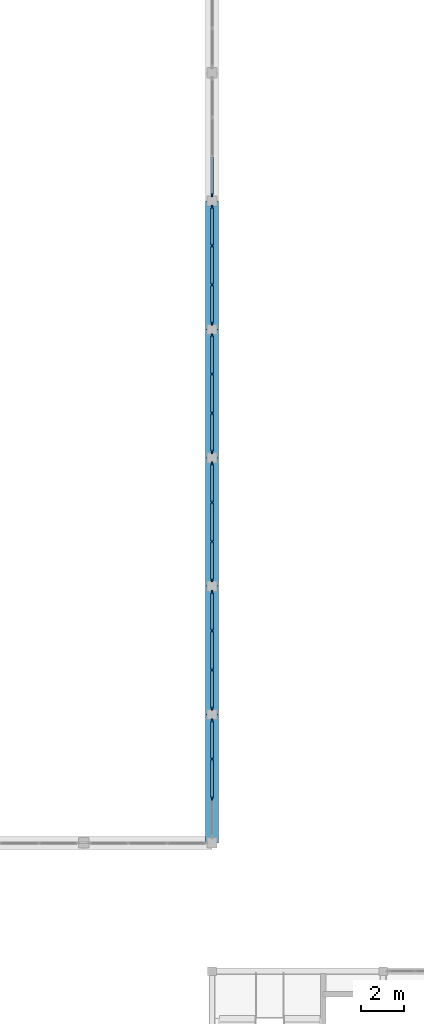
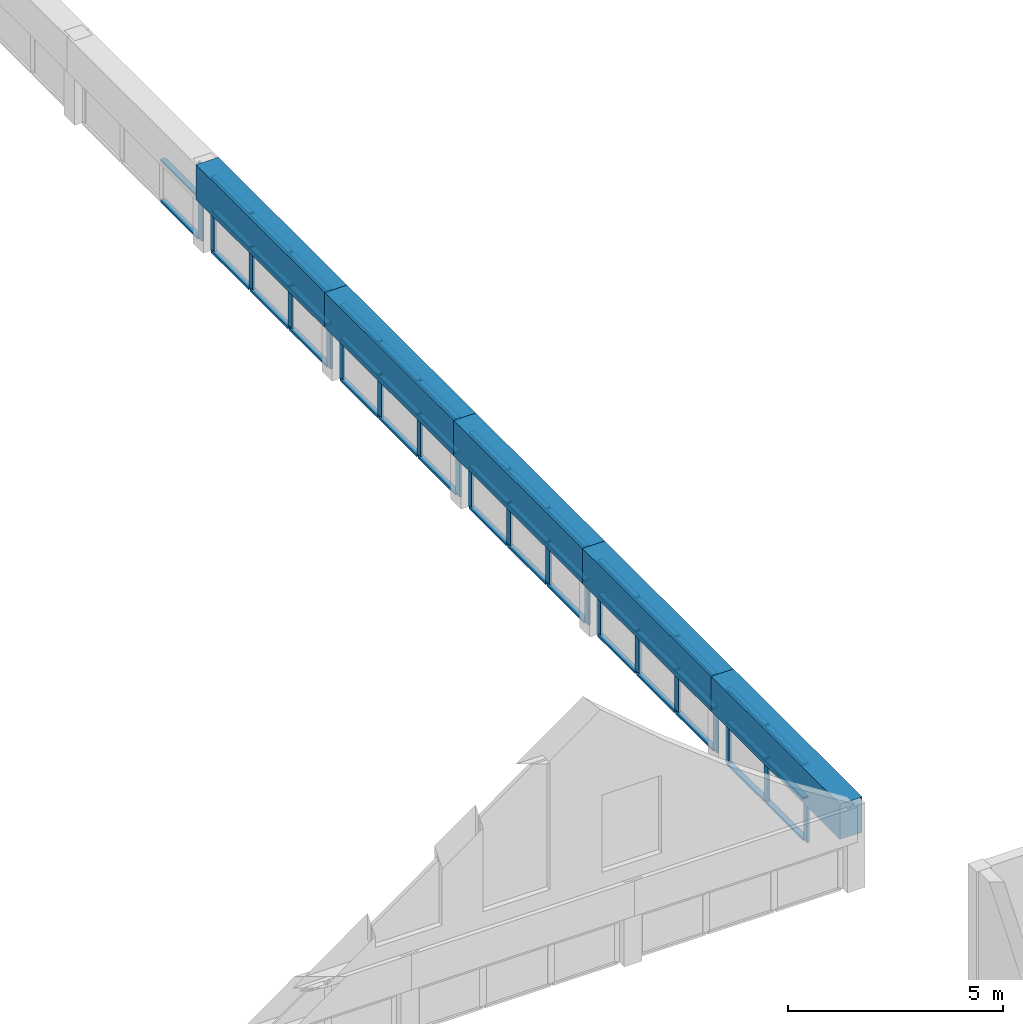
# One storey, part 9 of 45: 64 members, 5 beams, 6 elements without a shape of their own.
"""IFC4 building model written with IfcOpenShell, lengths in metres."""

import ifcopenshell
import ifcopenshell.guid

model = None  # the IFC model being written
_history = None  # IfcOwnerHistory: only IFC2X3 demands one
_inside = {}  # id of a spatial element -> (the spatial element, [elements in it])
_under = {}  # id of a project, library or spatial element -> (it, [spatial elements below it])
_declared = {}  # id of a project -> (the project, [libraries it declares])
_typed = {}  # id of a type object -> (the type object, [elements of that type])
_made_of = {}  # id of a material, layer set ... -> (it, [elements and type objects made of it])


def new_model(schema):
    """Start an empty IFC model of exactly this schema.

    Asked for "IFC4X3", IfcOpenShell would pick the latest addendum, in which some entities
    have other attributes; the version numbers below select the first issue.
    IFC2X3 requires an IfcOwnerHistory on every rooted entity: one is made here for all.
    """
    global model, _history
    if schema == "IFC4X3":
        model = ifcopenshell.file(schema_version=(4, 3, 0, 0))
    else:
        model = ifcopenshell.file(schema=schema)
    _inside.clear()
    _under.clear()
    _declared.clear()
    _typed.clear()
    _made_of.clear()
    _history = None
    if model.schema == "IFC2X3":
        org = make("IfcOrganization", Name="unknown")
        user = make(
            "IfcPersonAndOrganization",
            ThePerson=make("IfcPerson", FamilyName="unknown"),
            TheOrganization=org,
        )
        app = make(
            "IfcApplication",
            ApplicationDeveloper=org,
            Version="unknown",
            ApplicationFullName="unknown",
            ApplicationIdentifier="unknown",
        )
        _history = make(
            "IfcOwnerHistory",
            OwningUser=user,
            OwningApplication=app,
            ChangeAction="ADDED",
            CreationDate=0,
        )
    return model


def make(cls, **values):
    """One entity of the class cls with the attributes given. An attribute that is None is left unset."""
    return model.create_entity(
        cls, **{name: value for name, value in values.items() if value is not None}
    )


def rooted(cls, **values):
    """An entity with a GlobalId (a new one), such as an element, a storey or a relation."""
    return make(cls, GlobalId=ifcopenshell.guid.new(), OwnerHistory=_history, **values)


def si_unit(unit_type, name, prefix=None):
    """IfcSIUnit, for example si_unit("LENGTHUNIT", "METRE", prefix="MILLI")."""
    return make("IfcSIUnit", UnitType=unit_type, Prefix=prefix, Name=name)


def assignment(units):
    """IfcUnitAssignment: the units of a project."""
    return None if units is None else make("IfcUnitAssignment", Units=units)


def point(xyz):
    """IfcCartesianPoint."""
    return None if xyz is None else make("IfcCartesianPoint", Coordinates=xyz)


def direction(xyz):
    """IfcDirection."""
    return None if xyz is None else make("IfcDirection", DirectionRatios=xyz)


def frame(location, z_axis=None, x_axis=None):
    """IfcAxis2Placement3D, a coordinate frame: its origin and axes. An axis left out is left unset."""
    return make(
        "IfcAxis2Placement3D",
        Location=point(location),
        Axis=direction(z_axis),
        RefDirection=direction(x_axis),
    )


def frame_2d(location, x_axis=None):
    """IfcAxis2Placement2D, a coordinate frame in the plane: its origin and x axis."""
    return make(
        "IfcAxis2Placement2D", Location=point(location), RefDirection=direction(x_axis)
    )


def origin():
    """The frame at (0, 0, 0) with its axes left unset."""
    return frame((0.0, 0.0, 0.0))


def origin_2d():
    """The frame at (0, 0) in the plane with its x axis left unset."""
    return frame_2d((0.0, 0.0))


def place(relative_to, where):
    """IfcLocalPlacement: puts the frame where relative to a parent placement (None: the world)."""
    return make(
        "IfcLocalPlacement", PlacementRelTo=relative_to, RelativePlacement=where
    )


def context(
    kind, dimensions, precision=None, world=None, true_north=None, identifier=None
):
    """IfcGeometricRepresentationContext, for example the 3D "Model" context."""
    return make(
        "IfcGeometricRepresentationContext",
        ContextIdentifier=identifier,
        ContextType=kind,
        CoordinateSpaceDimension=dimensions,
        Precision=precision,
        WorldCoordinateSystem=world,
        TrueNorth=true_north,
    )


def subcontext(parent, identifier, kind, view, scale=None):
    """IfcGeometricRepresentationSubContext, for example "Body" below "Model"."""
    return make(
        "IfcGeometricRepresentationSubContext",
        ContextIdentifier=identifier,
        ContextType=kind,
        ParentContext=parent,
        TargetScale=scale,
        TargetView=view,
    )


def project(units=None, contexts=None):
    """IfcProject with its units and contexts."""
    return rooted(
        "IfcProject",
        Name="project",
        RepresentationContexts=contexts,
        UnitsInContext=assignment(units),
    )


def spatial(cls, under=None, at=None, **own):
    """A site, building, storey or space (cls), placed at a placement, below another one or the project."""
    s = rooted(cls, ObjectPlacement=at, **own)
    if under is not None:
        _under.setdefault(under.id(), (under, []))[1].append(s)
    return s


def profile(cls, at=None, kind="AREA", **sizes):
    """A parametric profile (cls). Its sizes go by their IFC names, for example OverallWidth=200.0."""
    return make(cls, ProfileType=kind, Position=at, **sizes)


def rectangle(**sizes):
    """IfcRectangleProfileDef."""
    return profile("IfcRectangleProfileDef", **sizes)


def extrude(swept, where, along, depth):
    """IfcExtrudedAreaSolid: the profile swept, set in the frame where, extruded along a direction by depth."""
    return make(
        "IfcExtrudedAreaSolid",
        SweptArea=swept,
        Position=where,
        ExtrudedDirection=direction(along),
        Depth=depth,
    )


def shape(context_of_items, identifier, shape_type, items):
    """IfcShapeRepresentation: the items that make up one representation, for example the "Body"."""
    return make(
        "IfcShapeRepresentation",
        ContextOfItems=context_of_items,
        RepresentationIdentifier=identifier,
        RepresentationType=shape_type,
        Items=items,
    )


def material(Name=None, Category=None):
    """IfcMaterial."""
    return make("IfcMaterial", Name=Name, Category=Category)


def layer(
    of_material, thickness, ventilated=None, Name=None, Category=None, Priority=None
):
    """IfcMaterialLayer: one layer of a wall or slab, of a material (None: an air gap)."""
    return make(
        "IfcMaterialLayer",
        Material=of_material,
        LayerThickness=thickness,
        IsVentilated=ventilated,
        Name=Name,
        Category=Category,
        Priority=Priority,
    )


def layer_set(layers, Name=None):
    """IfcMaterialLayerSet."""
    return make("IfcMaterialLayerSet", MaterialLayers=layers, LayerSetName=Name)


def material_profile(
    of_material, cross_section, Name=None, Category=None, Priority=None
):
    """IfcMaterialProfile: a cross section and its material."""
    return make(
        "IfcMaterialProfile",
        Name=Name,
        Material=of_material,
        Profile=cross_section,
        Priority=Priority,
        Category=Category,
    )


def profile_set(profiles, Name=None, composite=None):
    """IfcMaterialProfileSet."""
    return make(
        "IfcMaterialProfileSet",
        Name=Name,
        MaterialProfiles=profiles,
        CompositeProfile=composite,
    )


def made_of(thing, what):
    """Note that an element or type object is made of a material, layer set ...; save() writes the relation."""
    if what is not None:
        _made_of.setdefault(what.id(), (what, []))[1].append(thing)
    return thing


def type_object(cls, material=None, **own):
    """A type object (cls), such as IfcWallType, which elements share."""
    return made_of(rooted(cls, **own), material)


def element(
    cls,
    number,
    at=None,
    inside=None,
    cuts=None,
    type_object=None,
    material=None,
    context=None,
    identifier="Body",
    shape_type=None,
    held_by="IfcProductDefinitionShape",
    body=None,
    shapes=None,
    **own,
):
    """One element of the class cls, such as IfcWall. Its Tag is "e" and its number.

    at: its placement. inside: the storey or other place that contains it. cuts: it is an
    opening in that element (IfcRelVoidsElement). A single representation is given by context,
    identifier, shape_type and body (its items); several are given by shapes. held_by: the class
    of the entity that holds the representations. save() writes the other relations.
    """
    e = rooted(cls, Tag="e%d" % number, ObjectPlacement=at, **own)
    if body is not None:
        shapes = [shape(context, identifier, shape_type, body)]
    if shapes is not None:
        e.Representation = make(held_by, Representations=shapes)
    if inside is not None:
        _inside.setdefault(inside.id(), (inside, []))[1].append(e)
    if cuts is not None:
        rooted(
            "IfcRelVoidsElement", RelatingBuildingElement=cuts, RelatedOpeningElement=e
        )
    if type_object is not None:
        _typed.setdefault(type_object.id(), (type_object, []))[1].append(e)
    return made_of(e, material)


def aggregate(whole, parts):
    """IfcRelAggregates: a whole, such as a stair, and the parts it consists of."""
    return rooted("IfcRelAggregates", RelatingObject=whole, RelatedObjects=parts)


def save(model, path):
    """Write the relations noted so far, then the file.

    IfcRelAggregates (storeys below a building ...), IfcRelContainedInSpatialStructure (elements
    in a storey), IfcRelDefinesByType, IfcRelAssociatesMaterial and IfcRelDeclares: one each for
    every whole, place, type object, material and project.
    """
    for whole, parts in _under.values():
        aggregate(whole, parts)
    for where, things in _inside.values():
        rooted(
            "IfcRelContainedInSpatialStructure",
            RelatedElements=things,
            RelatingStructure=where,
        )
    for kind, things in _typed.values():
        rooted("IfcRelDefinesByType", RelatedObjects=things, RelatingType=kind)
    for what, things in _made_of.values():
        rooted("IfcRelAssociatesMaterial", RelatedObjects=things, RelatingMaterial=what)
    for by, libraries in _declared.values():
        rooted("IfcRelDeclares", RelatingContext=by, RelatedDefinitions=libraries)
    model.write(path)


model = new_model("IFC4")

# Units and contexts
model_context = context("Model", 3, precision=1e-05, world=origin(), true_north=direction((0.0, 1.0)))
body_context = subcontext(model_context, "Body", "Model", "MODEL_VIEW")
ifc_project = project(units=[si_unit("LENGTHUNIT", "METRE"), si_unit("AREAUNIT", "SQUARE_METRE"), si_unit("VOLUMEUNIT", "CUBIC_METRE"), si_unit("PLANEANGLEUNIT", "RADIAN"), si_unit("MASSUNIT", "GRAM", prefix="KILO")], contexts=[model_context])

# Site, building, storey
site_placement = place(None, origin())
site = spatial("IfcSite", under=ifc_project, at=site_placement, CompositionType="ELEMENT")
building_placement = place(site_placement, origin())
building = spatial("IfcBuilding", under=site, at=building_placement, Name="Solvane Community Centre", CompositionType="ELEMENT")
storey_placement = place(building_placement, frame((0.0, 0.0, 13.800048828125)))
storey = spatial("IfcBuildingStorey", under=building, at=storey_placement, Name="L03", CompositionType="ELEMENT", Elevation=13.800048828125)

# Curtain wall, members
ifc_material_1 = material(Name="Anodised bronze aluminium AW-6063 T6", Category="aluminium")
ifc_layer = layer(ifc_material_1, 0.179931640625)
ifc_layer_set = layer_set([ifc_layer], Name="Anodised bronze aluminium AW-6063 T6")
curtain_wall_type = type_object("IfcCurtainWallType", Name="Hall Translucent Upper Curtain Wall [55x22dm]", PredefinedType="NOTDEFINED", material=ifc_layer_set)
curtain_wall_1_placement = place(storey_placement, origin())
curtain_wall_1 = element("IfcCurtainWall", 1, at=curtain_wall_1_placement, inside=storey, type_object=curtain_wall_type, Name="Curtain Wall CW-L03-600_363-143", PredefinedType="NOTDEFINED")
ifc_material_profile_1 = material_profile(ifc_material_1, rectangle(XDim=0.06005859375, YDim=0.179931640625, at=origin_2d()), Name="CW-M 60x180")
ifc_profile_set_1 = profile_set([ifc_material_profile_1], Name="Anodised bronze aluminium AW-6063 T6")
member_type_1 = type_object("IfcMemberType", Name="Hall Mullion 60x180", PredefinedType="MULLION", material=ifc_profile_set_1)
member_1_placement = place(storey_placement, frame((60.0, 38.0849609375, 0.0), z_axis=(0.0, 0.0, 1.0), x_axis=(-1.0, 0.0, 0.0)))
member_1 = element("IfcMember", 2, at=member_1_placement, type_object=member_type_1, Name="CW01-55x22 mullion 2", PredefinedType="MULLION", context=body_context, shape_type="SweptSolid", body=[
    extrude(rectangle(XDim=0.06005859375, YDim=0.179931640625, at=origin_2d()), origin(), (0.0, 0.0, 1.0), 2.179931640625),
])
member_2_placement = place(storey_placement, frame((60.0, 39.9150390625, 0.0), z_axis=(0.0, 0.0, 1.0), x_axis=(-1.0, 0.0, 0.0)))
member_2 = element("IfcMember", 3, at=member_2_placement, type_object=member_type_1, Name="CW01-55x22 mullion 3", PredefinedType="MULLION", context=body_context, shape_type="SweptSolid", body=[
    extrude(rectangle(XDim=0.06005859375, YDim=0.179931640625, at=origin_2d()), origin(), (0.0, 0.0, 1.0), 2.179931640625),
])
member_3_placement = place(storey_placement, frame((60.0, 41.715087890625, 0.0), z_axis=(0.0, 0.0, 1.0), x_axis=(-1.0, 0.0, 0.0)))
member_3 = element("IfcMember", 4, at=member_3_placement, type_object=member_type_1, Name="CW01-55x22 mullion 4", PredefinedType="MULLION", context=body_context, shape_type="SweptSolid", body=[
    extrude(rectangle(XDim=0.06005859375, YDim=0.179931640625, at=origin_2d()), origin(), (0.0, 0.0, 1.0), 2.179931640625),
])

curtain_wall_2_placement = place(storey_placement, origin())
curtain_wall_2 = element("IfcCurtainWall", 5, at=curtain_wall_2_placement, inside=storey, type_object=curtain_wall_type, Name="Curtain Wall CW-L03-600_423-144", PredefinedType="NOTDEFINED")
member_4_placement = place(storey_placement, frame((60.0, 42.284912109375, 0.0), z_axis=(0.0, 0.0, 1.0), x_axis=(-1.0, 0.0, 0.0)))
member_4 = element("IfcMember", 6, at=member_4_placement, type_object=member_type_1, Name="CW01-55x22 mullion 1", PredefinedType="MULLION", context=body_context, shape_type="SweptSolid", body=[
    extrude(rectangle(XDim=0.06005859375, YDim=0.179931640625, at=origin_2d()), origin(), (0.0, 0.0, 1.0), 2.179931640625),
])
member_5_placement = place(storey_placement, frame((60.0, 44.0849609375, 0.0), z_axis=(0.0, 0.0, 1.0), x_axis=(-1.0, 0.0, 0.0)))
member_5 = element("IfcMember", 7, at=member_5_placement, type_object=member_type_1, Name="CW01-55x22 mullion 2", PredefinedType="MULLION", context=body_context, shape_type="SweptSolid", body=[
    extrude(rectangle(XDim=0.06005859375, YDim=0.179931640625, at=origin_2d()), origin(), (0.0, 0.0, 1.0), 2.179931640625),
])
member_6_placement = place(storey_placement, frame((60.0, 45.9150390625, 0.0), z_axis=(0.0, 0.0, 1.0), x_axis=(-1.0, 0.0, 0.0)))
member_6 = element("IfcMember", 8, at=member_6_placement, type_object=member_type_1, Name="CW01-55x22 mullion 3", PredefinedType="MULLION", context=body_context, shape_type="SweptSolid", body=[
    extrude(rectangle(XDim=0.06005859375, YDim=0.179931640625, at=origin_2d()), origin(), (0.0, 0.0, 1.0), 2.179931640625),
])
member_7_placement = place(storey_placement, frame((60.0, 47.715087890625, 0.0), z_axis=(0.0, 0.0, 1.0), x_axis=(-1.0, 0.0, 0.0)))
member_7 = element("IfcMember", 9, at=member_7_placement, type_object=member_type_1, Name="CW01-55x22 mullion 4", PredefinedType="MULLION", context=body_context, shape_type="SweptSolid", body=[
    extrude(rectangle(XDim=0.06005859375, YDim=0.179931640625, at=origin_2d()), origin(), (0.0, 0.0, 1.0), 2.179931640625),
])

curtain_wall_3_placement = place(storey_placement, origin())
curtain_wall_3 = element("IfcCurtainWall", 10, at=curtain_wall_3_placement, inside=storey, type_object=curtain_wall_type, Name="Curtain Wall CW-L03-600_483-145", PredefinedType="NOTDEFINED")
member_8_placement = place(storey_placement, frame((60.0, 48.284912109375, 0.0), z_axis=(0.0, 0.0, 1.0), x_axis=(-1.0, 0.0, 0.0)))
member_8 = element("IfcMember", 11, at=member_8_placement, type_object=member_type_1, Name="CW01-55x22 mullion 1", PredefinedType="MULLION", context=body_context, shape_type="SweptSolid", body=[
    extrude(rectangle(XDim=0.06005859375, YDim=0.179931640625, at=origin_2d()), origin(), (0.0, 0.0, 1.0), 2.179931640625),
])
member_9_placement = place(storey_placement, frame((60.0, 50.0849609375, 0.0), z_axis=(0.0, 0.0, 1.0), x_axis=(-1.0, 0.0, 0.0)))
member_9 = element("IfcMember", 12, at=member_9_placement, type_object=member_type_1, Name="CW01-55x22 mullion 2", PredefinedType="MULLION", context=body_context, shape_type="SweptSolid", body=[
    extrude(rectangle(XDim=0.06005859375, YDim=0.179931640625, at=origin_2d()), origin(), (0.0, 0.0, 1.0), 2.179931640625),
])
member_10_placement = place(storey_placement, frame((60.0, 51.9150390625, 0.0), z_axis=(0.0, 0.0, 1.0), x_axis=(-1.0, 0.0, 0.0)))
member_10 = element("IfcMember", 13, at=member_10_placement, type_object=member_type_1, Name="CW01-55x22 mullion 3", PredefinedType="MULLION", context=body_context, shape_type="SweptSolid", body=[
    extrude(rectangle(XDim=0.06005859375, YDim=0.179931640625, at=origin_2d()), origin(), (0.0, 0.0, 1.0), 2.179931640625),
])
member_11_placement = place(storey_placement, frame((60.0, 53.715087890625, 0.0), z_axis=(0.0, 0.0, 1.0), x_axis=(-1.0, 0.0, 0.0)))
member_11 = element("IfcMember", 14, at=member_11_placement, type_object=member_type_1, Name="CW01-55x22 mullion 4", PredefinedType="MULLION", context=body_context, shape_type="SweptSolid", body=[
    extrude(rectangle(XDim=0.06005859375, YDim=0.179931640625, at=origin_2d()), origin(), (0.0, 0.0, 1.0), 2.179931640625),
])

curtain_wall_4_placement = place(storey_placement, origin())
curtain_wall_4 = element("IfcCurtainWall", 15, at=curtain_wall_4_placement, inside=storey, type_object=curtain_wall_type, Name="Curtain Wall CW-L03-600_543-146", PredefinedType="NOTDEFINED")
member_12_placement = place(storey_placement, frame((60.0, 54.284912109375, 0.0), z_axis=(0.0, 0.0, 1.0), x_axis=(-1.0, 0.0, 0.0)))
member_12 = element("IfcMember", 16, at=member_12_placement, type_object=member_type_1, Name="CW01-55x22 mullion 1", PredefinedType="MULLION", context=body_context, shape_type="SweptSolid", body=[
    extrude(rectangle(XDim=0.06005859375, YDim=0.179931640625, at=origin_2d()), origin(), (0.0, 0.0, 1.0), 2.179931640625),
])
member_13_placement = place(storey_placement, frame((60.0, 56.0849609375, 0.0), z_axis=(0.0, 0.0, 1.0), x_axis=(-1.0, 0.0, 0.0)))
member_13 = element("IfcMember", 17, at=member_13_placement, type_object=member_type_1, Name="CW01-55x22 mullion 2", PredefinedType="MULLION", context=body_context, shape_type="SweptSolid", body=[
    extrude(rectangle(XDim=0.06005859375, YDim=0.179931640625, at=origin_2d()), origin(), (0.0, 0.0, 1.0), 2.179931640625),
])
member_14_placement = place(storey_placement, frame((60.0, 57.9150390625, 0.0), z_axis=(0.0, 0.0, 1.0), x_axis=(-1.0, 0.0, 0.0)))
member_14 = element("IfcMember", 18, at=member_14_placement, type_object=member_type_1, Name="CW01-55x22 mullion 3", PredefinedType="MULLION", context=body_context, shape_type="SweptSolid", body=[
    extrude(rectangle(XDim=0.06005859375, YDim=0.179931640625, at=origin_2d()), origin(), (0.0, 0.0, 1.0), 2.179931640625),
])
member_15_placement = place(storey_placement, frame((60.0, 59.715087890625, 0.0), z_axis=(0.0, 0.0, 1.0), x_axis=(-1.0, 0.0, 0.0)))
member_15 = element("IfcMember", 19, at=member_15_placement, type_object=member_type_1, Name="CW01-55x22 mullion 4", PredefinedType="MULLION", context=body_context, shape_type="SweptSolid", body=[
    extrude(rectangle(XDim=0.06005859375, YDim=0.179931640625, at=origin_2d()), origin(), (0.0, 0.0, 1.0), 2.179931640625),
])

curtain_wall_5_placement = place(storey_placement, origin())
curtain_wall_5 = element("IfcCurtainWall", 20, at=curtain_wall_5_placement, inside=storey, type_object=curtain_wall_type, Name="Curtain Wall CW-L03-600_603-147", PredefinedType="NOTDEFINED")
member_16_placement = place(storey_placement, frame((60.0, 60.284912109375, 0.0), z_axis=(0.0, 0.0, 1.0), x_axis=(-1.0, 0.0, 0.0)))
member_16 = element("IfcMember", 21, at=member_16_placement, type_object=member_type_1, Name="CW01-55x22 mullion 1", PredefinedType="MULLION", context=body_context, shape_type="SweptSolid", body=[
    extrude(rectangle(XDim=0.06005859375, YDim=0.179931640625, at=origin_2d()), origin(), (0.0, 0.0, 1.0), 2.179931640625),
])
member_17_placement = place(storey_placement, frame((60.0, 62.0849609375, 0.0), z_axis=(0.0, 0.0, 1.0), x_axis=(-1.0, 0.0, 0.0)))
member_17 = element("IfcMember", 22, at=member_17_placement, type_object=member_type_1, Name="CW01-55x22 mullion 2", PredefinedType="MULLION", context=body_context, shape_type="SweptSolid", body=[
    extrude(rectangle(XDim=0.06005859375, YDim=0.179931640625, at=origin_2d()), origin(), (0.0, 0.0, 1.0), 2.179931640625),
])
member_18_placement = place(storey_placement, frame((60.0, 63.9150390625, 0.0), z_axis=(0.0, 0.0, 1.0), x_axis=(-1.0, 0.0, 0.0)))
member_18 = element("IfcMember", 23, at=member_18_placement, type_object=member_type_1, Name="CW01-55x22 mullion 3", PredefinedType="MULLION", context=body_context, shape_type="SweptSolid", body=[
    extrude(rectangle(XDim=0.06005859375, YDim=0.179931640625, at=origin_2d()), origin(), (0.0, 0.0, 1.0), 2.179931640625),
])
member_19_placement = place(storey_placement, frame((60.0, 65.715087890625, 0.0), z_axis=(0.0, 0.0, 1.0), x_axis=(-1.0, 0.0, 0.0)))
member_19 = element("IfcMember", 24, at=member_19_placement, type_object=member_type_1, Name="CW01-55x22 mullion 4", PredefinedType="MULLION", context=body_context, shape_type="SweptSolid", body=[
    extrude(rectangle(XDim=0.06005859375, YDim=0.179931640625, at=origin_2d()), origin(), (0.0, 0.0, 1.0), 2.179931640625),
])

# Curtain wall, member
curtain_wall_6_placement = place(storey_placement, origin())
curtain_wall_6 = element("IfcCurtainWall", 25, at=curtain_wall_6_placement, inside=storey, type_object=curtain_wall_type, Name="Curtain Wall CW-L03-600_663-148", PredefinedType="NOTDEFINED")
member_20_placement = place(storey_placement, frame((60.0, 66.284912109375, 0.0), z_axis=(0.0, 0.0, 1.0), x_axis=(-1.0, 0.0, 0.0)))
member_20 = element("IfcMember", 26, at=member_20_placement, type_object=member_type_1, Name="CW01-55x22 mullion 1", PredefinedType="MULLION", context=body_context, shape_type="SweptSolid", body=[
    extrude(rectangle(XDim=0.06005859375, YDim=0.179931640625, at=origin_2d()), origin(), (0.0, 0.0, 1.0), 2.179931640625),
])

# Member
ifc_material_profile_2 = material_profile(ifc_material_1, rectangle(XDim=0.139892578125, YDim=0.06005859375, at=origin_2d()), Name="CW-T 60x140")
ifc_profile_set_2 = profile_set([ifc_material_profile_2], Name="Anodised bronze aluminium AW-6063 T6")
member_type_2 = type_object("IfcMemberType", Name="Hall Transom 60x140", PredefinedType="USERDEFINED", material=ifc_profile_set_2)
member_21_placement = place(storey_placement, frame((60.0, 38.114990234375, 0.030029296875), z_axis=(0.0, 1.0, 0.0), x_axis=(-1.0, 0.0, 0.0)))
member_21 = element("IfcMember", 27, at=member_21_placement, type_object=member_type_2, Name="CW01-55x22 transom 2.1", ObjectType="TRANSOM", PredefinedType="USERDEFINED", context=body_context, shape_type="SweptSolid", body=[
    extrude(rectangle(XDim=0.139892578125, YDim=0.06005859375, at=origin_2d()), origin(), (0.0, 0.0, 1.0), 1.77001953125),
])

member_22_placement = place(storey_placement, frame((60.0, 38.114990234375, 1.198974609375), z_axis=(0.0, 1.0, 0.0), x_axis=(-1.0, 0.0, 0.0)))
member_22 = element("IfcMember", 28, at=member_22_placement, type_object=member_type_2, Name="CW01-55x22 transom 2.2", ObjectType="TRANSOM", PredefinedType="USERDEFINED", context=body_context, shape_type="SweptSolid", body=[
    extrude(rectangle(XDim=0.139892578125, YDim=0.06005859375, at=origin_2d()), origin(), (0.0, 0.0, 1.0), 1.77001953125),
])

member_23_placement = place(storey_placement, frame((60.0, 38.114990234375, 2.14990234375), z_axis=(0.0, 1.0, 0.0), x_axis=(-1.0, 0.0, 0.0)))
member_23 = element("IfcMember", 29, at=member_23_placement, type_object=member_type_2, Name="CW01-55x22 transom 2.3", ObjectType="TRANSOM", PredefinedType="USERDEFINED", context=body_context, shape_type="SweptSolid", body=[
    extrude(rectangle(XDim=0.139892578125, YDim=0.06005859375, at=origin_2d()), origin(), (0.0, 0.0, 1.0), 1.77001953125),
])

member_24_placement = place(storey_placement, frame((60.0, 39.945068359375, 0.030029296875), z_axis=(0.0, 1.0, 0.0), x_axis=(-1.0, 0.0, 0.0)))
member_24 = element("IfcMember", 30, at=member_24_placement, type_object=member_type_2, Name="CW01-55x22 transom 3.1", ObjectType="TRANSOM", PredefinedType="USERDEFINED", context=body_context, shape_type="SweptSolid", body=[
    extrude(rectangle(XDim=0.139892578125, YDim=0.06005859375, at=origin_2d()), origin(), (0.0, 0.0, 1.0), 1.739990234375),
])

member_25_placement = place(storey_placement, frame((60.0, 39.945068359375, 1.198974609375), z_axis=(0.0, 1.0, 0.0), x_axis=(-1.0, 0.0, 0.0)))
member_25 = element("IfcMember", 31, at=member_25_placement, type_object=member_type_2, Name="CW01-55x22 transom 3.2", ObjectType="TRANSOM", PredefinedType="USERDEFINED", context=body_context, shape_type="SweptSolid", body=[
    extrude(rectangle(XDim=0.139892578125, YDim=0.06005859375, at=origin_2d()), origin(), (0.0, 0.0, 1.0), 1.739990234375),
])

member_26_placement = place(storey_placement, frame((60.0, 39.945068359375, 2.14990234375), z_axis=(0.0, 1.0, 0.0), x_axis=(-1.0, 0.0, 0.0)))
member_26 = element("IfcMember", 32, at=member_26_placement, type_object=member_type_2, Name="CW01-55x22 transom 3.3", ObjectType="TRANSOM", PredefinedType="USERDEFINED", context=body_context, shape_type="SweptSolid", body=[
    extrude(rectangle(XDim=0.139892578125, YDim=0.06005859375, at=origin_2d()), origin(), (0.0, 0.0, 1.0), 1.739990234375),
])

aggregate(curtain_wall_1, [member_1, member_2, member_3, member_21, member_22, member_23, member_24, member_25, member_26])

member_27_placement = place(storey_placement, frame((60.0, 42.31494140625, 0.030029296875), z_axis=(0.0, 1.0, 0.0), x_axis=(-1.0, 0.0, 0.0)))
member_27 = element("IfcMember", 33, at=member_27_placement, type_object=member_type_2, Name="CW01-55x22 transom 1.1", ObjectType="TRANSOM", PredefinedType="USERDEFINED", context=body_context, shape_type="SweptSolid", body=[
    extrude(rectangle(XDim=0.139892578125, YDim=0.06005859375, at=origin_2d()), origin(), (0.0, 0.0, 1.0), 1.739990234375),
])

member_28_placement = place(storey_placement, frame((60.0, 42.31494140625, 1.198974609375), z_axis=(0.0, 1.0, 0.0), x_axis=(-1.0, 0.0, 0.0)))
member_28 = element("IfcMember", 34, at=member_28_placement, type_object=member_type_2, Name="CW01-55x22 transom 1.2", ObjectType="TRANSOM", PredefinedType="USERDEFINED", context=body_context, shape_type="SweptSolid", body=[
    extrude(rectangle(XDim=0.139892578125, YDim=0.06005859375, at=origin_2d()), origin(), (0.0, 0.0, 1.0), 1.739990234375),
])

member_29_placement = place(storey_placement, frame((60.0, 42.31494140625, 2.14990234375), z_axis=(0.0, 1.0, 0.0), x_axis=(-1.0, 0.0, 0.0)))
member_29 = element("IfcMember", 35, at=member_29_placement, type_object=member_type_2, Name="CW01-55x22 transom 1.3", ObjectType="TRANSOM", PredefinedType="USERDEFINED", context=body_context, shape_type="SweptSolid", body=[
    extrude(rectangle(XDim=0.139892578125, YDim=0.06005859375, at=origin_2d()), origin(), (0.0, 0.0, 1.0), 1.739990234375),
])

member_30_placement = place(storey_placement, frame((60.0, 44.114990234375, 0.030029296875), z_axis=(0.0, 1.0, 0.0), x_axis=(-1.0, 0.0, 0.0)))
member_30 = element("IfcMember", 36, at=member_30_placement, type_object=member_type_2, Name="CW01-55x22 transom 2.1", ObjectType="TRANSOM", PredefinedType="USERDEFINED", context=body_context, shape_type="SweptSolid", body=[
    extrude(rectangle(XDim=0.139892578125, YDim=0.06005859375, at=origin_2d()), origin(), (0.0, 0.0, 1.0), 1.77001953125),
])

member_31_placement = place(storey_placement, frame((60.0, 44.114990234375, 1.198974609375), z_axis=(0.0, 1.0, 0.0), x_axis=(-1.0, 0.0, 0.0)))
member_31 = element("IfcMember", 37, at=member_31_placement, type_object=member_type_2, Name="CW01-55x22 transom 2.2", ObjectType="TRANSOM", PredefinedType="USERDEFINED", context=body_context, shape_type="SweptSolid", body=[
    extrude(rectangle(XDim=0.139892578125, YDim=0.06005859375, at=origin_2d()), origin(), (0.0, 0.0, 1.0), 1.77001953125),
])

member_32_placement = place(storey_placement, frame((60.0, 44.114990234375, 2.14990234375), z_axis=(0.0, 1.0, 0.0), x_axis=(-1.0, 0.0, 0.0)))
member_32 = element("IfcMember", 38, at=member_32_placement, type_object=member_type_2, Name="CW01-55x22 transom 2.3", ObjectType="TRANSOM", PredefinedType="USERDEFINED", context=body_context, shape_type="SweptSolid", body=[
    extrude(rectangle(XDim=0.139892578125, YDim=0.06005859375, at=origin_2d()), origin(), (0.0, 0.0, 1.0), 1.77001953125),
])

member_33_placement = place(storey_placement, frame((60.0, 45.945068359375, 0.030029296875), z_axis=(0.0, 1.0, 0.0), x_axis=(-1.0, 0.0, 0.0)))
member_33 = element("IfcMember", 39, at=member_33_placement, type_object=member_type_2, Name="CW01-55x22 transom 3.1", ObjectType="TRANSOM", PredefinedType="USERDEFINED", context=body_context, shape_type="SweptSolid", body=[
    extrude(rectangle(XDim=0.139892578125, YDim=0.06005859375, at=origin_2d()), origin(), (0.0, 0.0, 1.0), 1.739990234375),
])

member_34_placement = place(storey_placement, frame((60.0, 45.945068359375, 1.198974609375), z_axis=(0.0, 1.0, 0.0), x_axis=(-1.0, 0.0, 0.0)))
member_34 = element("IfcMember", 40, at=member_34_placement, type_object=member_type_2, Name="CW01-55x22 transom 3.2", ObjectType="TRANSOM", PredefinedType="USERDEFINED", context=body_context, shape_type="SweptSolid", body=[
    extrude(rectangle(XDim=0.139892578125, YDim=0.06005859375, at=origin_2d()), origin(), (0.0, 0.0, 1.0), 1.739990234375),
])

member_35_placement = place(storey_placement, frame((60.0, 45.945068359375, 2.14990234375), z_axis=(0.0, 1.0, 0.0), x_axis=(-1.0, 0.0, 0.0)))
member_35 = element("IfcMember", 41, at=member_35_placement, type_object=member_type_2, Name="CW01-55x22 transom 3.3", ObjectType="TRANSOM", PredefinedType="USERDEFINED", context=body_context, shape_type="SweptSolid", body=[
    extrude(rectangle(XDim=0.139892578125, YDim=0.06005859375, at=origin_2d()), origin(), (0.0, 0.0, 1.0), 1.739990234375),
])

aggregate(curtain_wall_2, [member_4, member_5, member_6, member_7, member_27, member_28, member_29, member_30, member_31, member_32, member_33, member_34, member_35])

member_36_placement = place(storey_placement, frame((60.0, 48.31494140625, 0.030029296875), z_axis=(0.0, 1.0, 0.0), x_axis=(-1.0, 0.0, 0.0)))
member_36 = element("IfcMember", 42, at=member_36_placement, type_object=member_type_2, Name="CW01-55x22 transom 1.1", ObjectType="TRANSOM", PredefinedType="USERDEFINED", context=body_context, shape_type="SweptSolid", body=[
    extrude(rectangle(XDim=0.139892578125, YDim=0.06005859375, at=origin_2d()), origin(), (0.0, 0.0, 1.0), 1.739990234375),
])

member_37_placement = place(storey_placement, frame((60.0, 48.31494140625, 1.198974609375), z_axis=(0.0, 1.0, 0.0), x_axis=(-1.0, 0.0, 0.0)))
member_37 = element("IfcMember", 43, at=member_37_placement, type_object=member_type_2, Name="CW01-55x22 transom 1.2", ObjectType="TRANSOM", PredefinedType="USERDEFINED", context=body_context, shape_type="SweptSolid", body=[
    extrude(rectangle(XDim=0.139892578125, YDim=0.06005859375, at=origin_2d()), origin(), (0.0, 0.0, 1.0), 1.739990234375),
])

member_38_placement = place(storey_placement, frame((60.0, 48.31494140625, 2.14990234375), z_axis=(0.0, 1.0, 0.0), x_axis=(-1.0, 0.0, 0.0)))
member_38 = element("IfcMember", 44, at=member_38_placement, type_object=member_type_2, Name="CW01-55x22 transom 1.3", ObjectType="TRANSOM", PredefinedType="USERDEFINED", context=body_context, shape_type="SweptSolid", body=[
    extrude(rectangle(XDim=0.139892578125, YDim=0.06005859375, at=origin_2d()), origin(), (0.0, 0.0, 1.0), 1.739990234375),
])

member_39_placement = place(storey_placement, frame((60.0, 50.114990234375, 0.030029296875), z_axis=(0.0, 1.0, 0.0), x_axis=(-1.0, 0.0, 0.0)))
member_39 = element("IfcMember", 45, at=member_39_placement, type_object=member_type_2, Name="CW01-55x22 transom 2.1", ObjectType="TRANSOM", PredefinedType="USERDEFINED", context=body_context, shape_type="SweptSolid", body=[
    extrude(rectangle(XDim=0.139892578125, YDim=0.06005859375, at=origin_2d()), origin(), (0.0, 0.0, 1.0), 1.77001953125),
])

member_40_placement = place(storey_placement, frame((60.0, 50.114990234375, 1.198974609375), z_axis=(0.0, 1.0, 0.0), x_axis=(-1.0, 0.0, 0.0)))
member_40 = element("IfcMember", 46, at=member_40_placement, type_object=member_type_2, Name="CW01-55x22 transom 2.2", ObjectType="TRANSOM", PredefinedType="USERDEFINED", context=body_context, shape_type="SweptSolid", body=[
    extrude(rectangle(XDim=0.139892578125, YDim=0.06005859375, at=origin_2d()), origin(), (0.0, 0.0, 1.0), 1.77001953125),
])

member_41_placement = place(storey_placement, frame((60.0, 50.114990234375, 2.14990234375), z_axis=(0.0, 1.0, 0.0), x_axis=(-1.0, 0.0, 0.0)))
member_41 = element("IfcMember", 47, at=member_41_placement, type_object=member_type_2, Name="CW01-55x22 transom 2.3", ObjectType="TRANSOM", PredefinedType="USERDEFINED", context=body_context, shape_type="SweptSolid", body=[
    extrude(rectangle(XDim=0.139892578125, YDim=0.06005859375, at=origin_2d()), origin(), (0.0, 0.0, 1.0), 1.77001953125),
])

member_42_placement = place(storey_placement, frame((60.0, 51.945068359375, 0.030029296875), z_axis=(0.0, 1.0, 0.0), x_axis=(-1.0, 0.0, 0.0)))
member_42 = element("IfcMember", 48, at=member_42_placement, type_object=member_type_2, Name="CW01-55x22 transom 3.1", ObjectType="TRANSOM", PredefinedType="USERDEFINED", context=body_context, shape_type="SweptSolid", body=[
    extrude(rectangle(XDim=0.139892578125, YDim=0.06005859375, at=origin_2d()), origin(), (0.0, 0.0, 1.0), 1.739990234375),
])

member_43_placement = place(storey_placement, frame((60.0, 51.945068359375, 1.198974609375), z_axis=(0.0, 1.0, 0.0), x_axis=(-1.0, 0.0, 0.0)))
member_43 = element("IfcMember", 49, at=member_43_placement, type_object=member_type_2, Name="CW01-55x22 transom 3.2", ObjectType="TRANSOM", PredefinedType="USERDEFINED", context=body_context, shape_type="SweptSolid", body=[
    extrude(rectangle(XDim=0.139892578125, YDim=0.06005859375, at=origin_2d()), origin(), (0.0, 0.0, 1.0), 1.739990234375),
])

member_44_placement = place(storey_placement, frame((60.0, 51.945068359375, 2.14990234375), z_axis=(0.0, 1.0, 0.0), x_axis=(-1.0, 0.0, 0.0)))
member_44 = element("IfcMember", 50, at=member_44_placement, type_object=member_type_2, Name="CW01-55x22 transom 3.3", ObjectType="TRANSOM", PredefinedType="USERDEFINED", context=body_context, shape_type="SweptSolid", body=[
    extrude(rectangle(XDim=0.139892578125, YDim=0.06005859375, at=origin_2d()), origin(), (0.0, 0.0, 1.0), 1.739990234375),
])

aggregate(curtain_wall_3, [member_8, member_9, member_10, member_11, member_36, member_37, member_38, member_39, member_40, member_41, member_42, member_43, member_44])

member_45_placement = place(storey_placement, frame((60.0, 54.31494140625, 0.030029296875), z_axis=(0.0, 1.0, 0.0), x_axis=(-1.0, 0.0, 0.0)))
member_45 = element("IfcMember", 51, at=member_45_placement, type_object=member_type_2, Name="CW01-55x22 transom 1.1", ObjectType="TRANSOM", PredefinedType="USERDEFINED", context=body_context, shape_type="SweptSolid", body=[
    extrude(rectangle(XDim=0.139892578125, YDim=0.06005859375, at=origin_2d()), origin(), (0.0, 0.0, 1.0), 1.739990234375),
])

member_46_placement = place(storey_placement, frame((60.0, 54.31494140625, 1.198974609375), z_axis=(0.0, 1.0, 0.0), x_axis=(-1.0, 0.0, 0.0)))
member_46 = element("IfcMember", 52, at=member_46_placement, type_object=member_type_2, Name="CW01-55x22 transom 1.2", ObjectType="TRANSOM", PredefinedType="USERDEFINED", context=body_context, shape_type="SweptSolid", body=[
    extrude(rectangle(XDim=0.139892578125, YDim=0.06005859375, at=origin_2d()), origin(), (0.0, 0.0, 1.0), 1.739990234375),
])

member_47_placement = place(storey_placement, frame((60.0, 54.31494140625, 2.14990234375), z_axis=(0.0, 1.0, 0.0), x_axis=(-1.0, 0.0, 0.0)))
member_47 = element("IfcMember", 53, at=member_47_placement, type_object=member_type_2, Name="CW01-55x22 transom 1.3", ObjectType="TRANSOM", PredefinedType="USERDEFINED", context=body_context, shape_type="SweptSolid", body=[
    extrude(rectangle(XDim=0.139892578125, YDim=0.06005859375, at=origin_2d()), origin(), (0.0, 0.0, 1.0), 1.739990234375),
])

member_48_placement = place(storey_placement, frame((60.0, 56.114990234375, 0.030029296875), z_axis=(0.0, 1.0, 0.0), x_axis=(-1.0, 0.0, 0.0)))
member_48 = element("IfcMember", 54, at=member_48_placement, type_object=member_type_2, Name="CW01-55x22 transom 2.1", ObjectType="TRANSOM", PredefinedType="USERDEFINED", context=body_context, shape_type="SweptSolid", body=[
    extrude(rectangle(XDim=0.139892578125, YDim=0.06005859375, at=origin_2d()), origin(), (0.0, 0.0, 1.0), 1.77001953125),
])

member_49_placement = place(storey_placement, frame((60.0, 56.114990234375, 1.198974609375), z_axis=(0.0, 1.0, 0.0), x_axis=(-1.0, 0.0, 0.0)))
member_49 = element("IfcMember", 55, at=member_49_placement, type_object=member_type_2, Name="CW01-55x22 transom 2.2", ObjectType="TRANSOM", PredefinedType="USERDEFINED", context=body_context, shape_type="SweptSolid", body=[
    extrude(rectangle(XDim=0.139892578125, YDim=0.06005859375, at=origin_2d()), origin(), (0.0, 0.0, 1.0), 1.77001953125),
])

member_50_placement = place(storey_placement, frame((60.0, 56.114990234375, 2.14990234375), z_axis=(0.0, 1.0, 0.0), x_axis=(-1.0, 0.0, 0.0)))
member_50 = element("IfcMember", 56, at=member_50_placement, type_object=member_type_2, Name="CW01-55x22 transom 2.3", ObjectType="TRANSOM", PredefinedType="USERDEFINED", context=body_context, shape_type="SweptSolid", body=[
    extrude(rectangle(XDim=0.139892578125, YDim=0.06005859375, at=origin_2d()), origin(), (0.0, 0.0, 1.0), 1.77001953125),
])

member_51_placement = place(storey_placement, frame((60.0, 57.945068359375, 0.030029296875), z_axis=(0.0, 1.0, 0.0), x_axis=(-1.0, 0.0, 0.0)))
member_51 = element("IfcMember", 57, at=member_51_placement, type_object=member_type_2, Name="CW01-55x22 transom 3.1", ObjectType="TRANSOM", PredefinedType="USERDEFINED", context=body_context, shape_type="SweptSolid", body=[
    extrude(rectangle(XDim=0.139892578125, YDim=0.06005859375, at=origin_2d()), origin(), (0.0, 0.0, 1.0), 1.739990234375),
])

member_52_placement = place(storey_placement, frame((60.0, 57.945068359375, 1.198974609375), z_axis=(0.0, 1.0, 0.0), x_axis=(-1.0, 0.0, 0.0)))
member_52 = element("IfcMember", 58, at=member_52_placement, type_object=member_type_2, Name="CW01-55x22 transom 3.2", ObjectType="TRANSOM", PredefinedType="USERDEFINED", context=body_context, shape_type="SweptSolid", body=[
    extrude(rectangle(XDim=0.139892578125, YDim=0.06005859375, at=origin_2d()), origin(), (0.0, 0.0, 1.0), 1.739990234375),
])

member_53_placement = place(storey_placement, frame((60.0, 57.945068359375, 2.14990234375), z_axis=(0.0, 1.0, 0.0), x_axis=(-1.0, 0.0, 0.0)))
member_53 = element("IfcMember", 59, at=member_53_placement, type_object=member_type_2, Name="CW01-55x22 transom 3.3", ObjectType="TRANSOM", PredefinedType="USERDEFINED", context=body_context, shape_type="SweptSolid", body=[
    extrude(rectangle(XDim=0.139892578125, YDim=0.06005859375, at=origin_2d()), origin(), (0.0, 0.0, 1.0), 1.739990234375),
])

aggregate(curtain_wall_4, [member_12, member_13, member_14, member_15, member_45, member_46, member_47, member_48, member_49, member_50, member_51, member_52, member_53])

member_54_placement = place(storey_placement, frame((60.0, 60.31494140625, 0.030029296875), z_axis=(0.0, 1.0, 0.0), x_axis=(-1.0, 0.0, 0.0)))
member_54 = element("IfcMember", 60, at=member_54_placement, type_object=member_type_2, Name="CW01-55x22 transom 1.1", ObjectType="TRANSOM", PredefinedType="USERDEFINED", context=body_context, shape_type="SweptSolid", body=[
    extrude(rectangle(XDim=0.139892578125, YDim=0.06005859375, at=origin_2d()), origin(), (0.0, 0.0, 1.0), 1.739990234375),
])

member_55_placement = place(storey_placement, frame((60.0, 60.31494140625, 1.198974609375), z_axis=(0.0, 1.0, 0.0), x_axis=(-1.0, 0.0, 0.0)))
member_55 = element("IfcMember", 61, at=member_55_placement, type_object=member_type_2, Name="CW01-55x22 transom 1.2", ObjectType="TRANSOM", PredefinedType="USERDEFINED", context=body_context, shape_type="SweptSolid", body=[
    extrude(rectangle(XDim=0.139892578125, YDim=0.06005859375, at=origin_2d()), origin(), (0.0, 0.0, 1.0), 1.739990234375),
])

member_56_placement = place(storey_placement, frame((60.0, 60.31494140625, 2.14990234375), z_axis=(0.0, 1.0, 0.0), x_axis=(-1.0, 0.0, 0.0)))
member_56 = element("IfcMember", 62, at=member_56_placement, type_object=member_type_2, Name="CW01-55x22 transom 1.3", ObjectType="TRANSOM", PredefinedType="USERDEFINED", context=body_context, shape_type="SweptSolid", body=[
    extrude(rectangle(XDim=0.139892578125, YDim=0.06005859375, at=origin_2d()), origin(), (0.0, 0.0, 1.0), 1.739990234375),
])

member_57_placement = place(storey_placement, frame((60.0, 62.114990234375, 0.030029296875), z_axis=(0.0, 1.0, 0.0), x_axis=(-1.0, 0.0, 0.0)))
member_57 = element("IfcMember", 63, at=member_57_placement, type_object=member_type_2, Name="CW01-55x22 transom 2.1", ObjectType="TRANSOM", PredefinedType="USERDEFINED", context=body_context, shape_type="SweptSolid", body=[
    extrude(rectangle(XDim=0.139892578125, YDim=0.06005859375, at=origin_2d()), origin(), (0.0, 0.0, 1.0), 1.77001953125),
])

member_58_placement = place(storey_placement, frame((60.0, 62.114990234375, 1.198974609375), z_axis=(0.0, 1.0, 0.0), x_axis=(-1.0, 0.0, 0.0)))
member_58 = element("IfcMember", 64, at=member_58_placement, type_object=member_type_2, Name="CW01-55x22 transom 2.2", ObjectType="TRANSOM", PredefinedType="USERDEFINED", context=body_context, shape_type="SweptSolid", body=[
    extrude(rectangle(XDim=0.139892578125, YDim=0.06005859375, at=origin_2d()), origin(), (0.0, 0.0, 1.0), 1.77001953125),
])

member_59_placement = place(storey_placement, frame((60.0, 62.114990234375, 2.14990234375), z_axis=(0.0, 1.0, 0.0), x_axis=(-1.0, 0.0, 0.0)))
member_59 = element("IfcMember", 65, at=member_59_placement, type_object=member_type_2, Name="CW01-55x22 transom 2.3", ObjectType="TRANSOM", PredefinedType="USERDEFINED", context=body_context, shape_type="SweptSolid", body=[
    extrude(rectangle(XDim=0.139892578125, YDim=0.06005859375, at=origin_2d()), origin(), (0.0, 0.0, 1.0), 1.77001953125),
])

member_60_placement = place(storey_placement, frame((60.0, 63.945068359375, 0.030029296875), z_axis=(0.0, 1.0, 0.0), x_axis=(-1.0, 0.0, 0.0)))
member_60 = element("IfcMember", 66, at=member_60_placement, type_object=member_type_2, Name="CW01-55x22 transom 3.1", ObjectType="TRANSOM", PredefinedType="USERDEFINED", context=body_context, shape_type="SweptSolid", body=[
    extrude(rectangle(XDim=0.139892578125, YDim=0.06005859375, at=origin_2d()), origin(), (0.0, 0.0, 1.0), 1.739990234375),
])

member_61_placement = place(storey_placement, frame((60.0, 63.945068359375, 1.198974609375), z_axis=(0.0, 1.0, 0.0), x_axis=(-1.0, 0.0, 0.0)))
member_61 = element("IfcMember", 67, at=member_61_placement, type_object=member_type_2, Name="CW01-55x22 transom 3.2", ObjectType="TRANSOM", PredefinedType="USERDEFINED", context=body_context, shape_type="SweptSolid", body=[
    extrude(rectangle(XDim=0.139892578125, YDim=0.06005859375, at=origin_2d()), origin(), (0.0, 0.0, 1.0), 1.739990234375),
])

member_62_placement = place(storey_placement, frame((60.0, 63.945068359375, 2.14990234375), z_axis=(0.0, 1.0, 0.0), x_axis=(-1.0, 0.0, 0.0)))
member_62 = element("IfcMember", 68, at=member_62_placement, type_object=member_type_2, Name="CW01-55x22 transom 3.3", ObjectType="TRANSOM", PredefinedType="USERDEFINED", context=body_context, shape_type="SweptSolid", body=[
    extrude(rectangle(XDim=0.139892578125, YDim=0.06005859375, at=origin_2d()), origin(), (0.0, 0.0, 1.0), 1.739990234375),
])

aggregate(curtain_wall_5, [member_16, member_17, member_18, member_19, member_54, member_55, member_56, member_57, member_58, member_59, member_60, member_61, member_62])

member_63_placement = place(storey_placement, frame((60.0, 66.31494140625, 0.030029296875), z_axis=(0.0, 1.0, 0.0), x_axis=(-1.0, 0.0, 0.0)))
member_63 = element("IfcMember", 69, at=member_63_placement, type_object=member_type_2, Name="CW01-55x22 transom 1.1", ObjectType="TRANSOM", PredefinedType="USERDEFINED", context=body_context, shape_type="SweptSolid", body=[
    extrude(rectangle(XDim=0.139892578125, YDim=0.06005859375, at=origin_2d()), origin(), (0.0, 0.0, 1.0), 1.739990234375),
])

member_64_placement = place(storey_placement, frame((60.0, 66.31494140625, 1.198974609375), z_axis=(0.0, 1.0, 0.0), x_axis=(-1.0, 0.0, 0.0)))
member_64 = element("IfcMember", 70, at=member_64_placement, type_object=member_type_2, Name="CW01-55x22 transom 1.2", ObjectType="TRANSOM", PredefinedType="USERDEFINED", context=body_context, shape_type="SweptSolid", body=[
    extrude(rectangle(XDim=0.139892578125, YDim=0.06005859375, at=origin_2d()), origin(), (0.0, 0.0, 1.0), 1.739990234375),
])

aggregate(curtain_wall_6, [member_20, member_63, member_64])

# Beams
ifc_material_2 = material(Name="Concrete C35/45", Category="concrete")
ifc_material_profile_3 = material_profile(ifc_material_2, rectangle(XDim=0.60009765625, YDim=1.0, at=origin_2d()), Name="RC 600x1000")
ifc_profile_set_3 = profile_set([ifc_material_profile_3], Name="Concrete C35/45")
beam_type = type_object("IfcBeamType", Name="RC Vault Thrust Ring Girder 600x1000", PredefinedType="USERDEFINED", material=ifc_profile_set_3)
for number, where, z_axis, x_axis, name in (
    (71, (60.0, 36.0, 1.89990234375), (0.0, 1.0, 0.0), (-1.0, 0.0, 0.0), "Beam BM-L03-600_360-600_420"),
    (72, (60.0, 42.0, 1.89990234375), (0.0, 1.0, 0.0), (-1.0, 0.0, 0.0), "Beam BM-L03-600_420-600_480"),
    (73, (60.0, 48.0, 1.89990234375), (0.0, 1.0, 0.0), (-1.0, 0.0, 0.0), "Beam BM-L03-600_480-600_540"),
    (74, (60.0, 54.0, 1.89990234375), (0.0, 1.0, 0.0), (-1.0, 0.0, 0.0), "Beam BM-L03-600_540-600_600"),
    (75, (60.0, 60.0, 1.89990234375), (0.0, 1.0, 0.0), (-1.0, 0.0, 0.0), "Beam BM-L03-600_600-600_660"),
):
    element("IfcBeam", number, at=place(storey_placement, frame(where, z_axis=z_axis, x_axis=x_axis)), inside=storey, type_object=beam_type, Name=name, ObjectType="GIRDER", PredefinedType="USERDEFINED", context=body_context, shape_type="SweptSolid", body=[
        extrude(rectangle(XDim=0.60009765625, YDim=1.0, at=origin_2d()), origin(), (0.0, 0.0, 1.0), 6.0),
    ])

save(model, "model.ifc")
